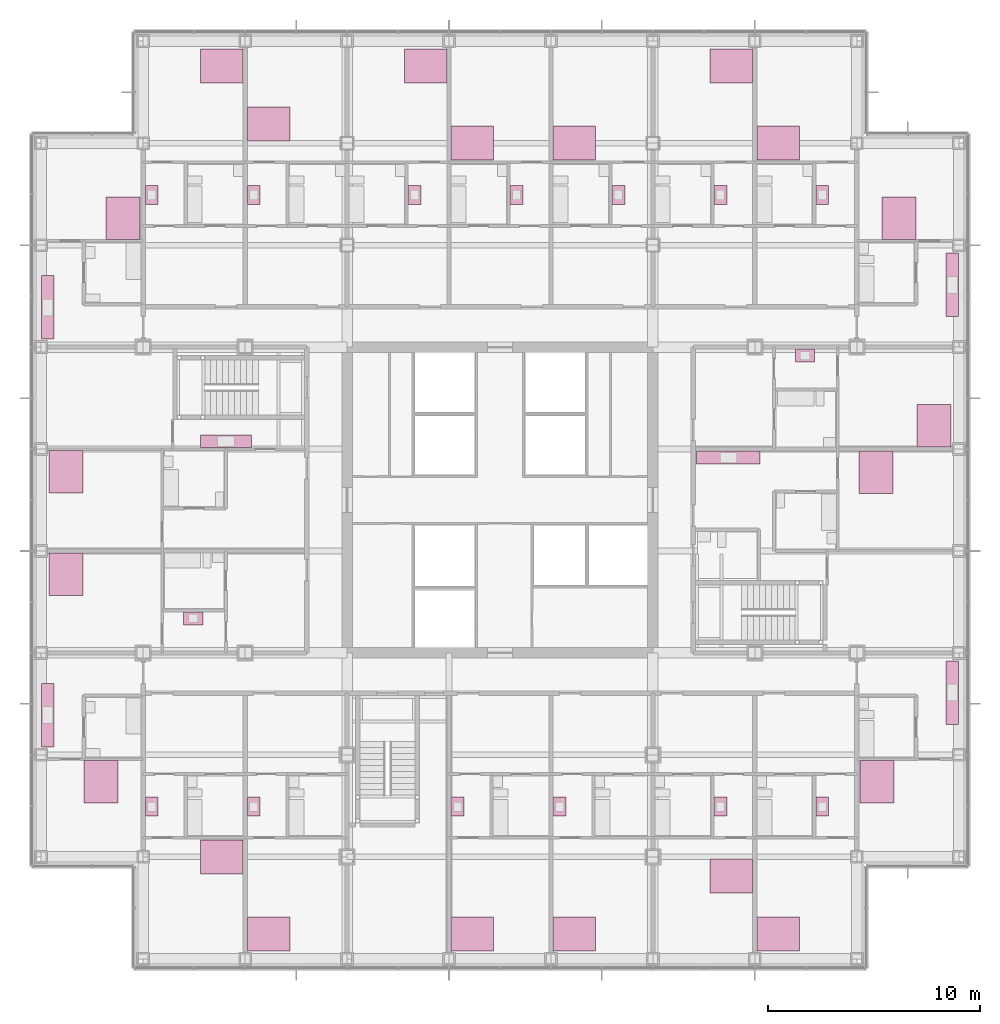
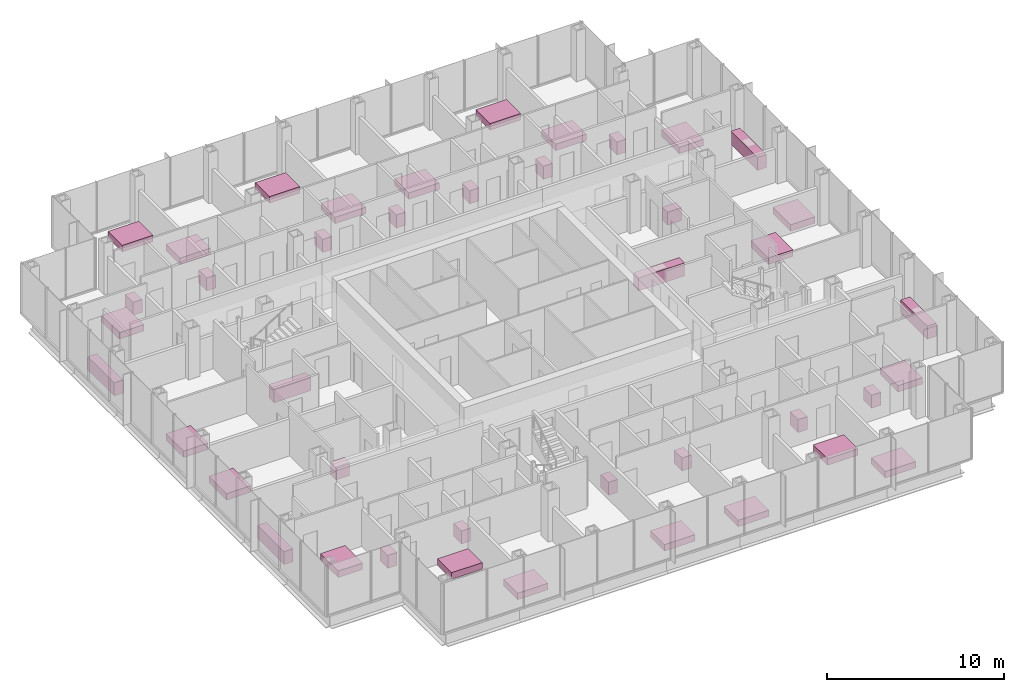
# One storey, part 22 of 22: 42 furniture elements.
"""IFC4 building model written with IfcOpenShell, lengths in metres."""

from ifc_helpers import new_model, si_unit, direction, frame, origin, origin_2d, place, context, subcontext, project, spatial, rectangle, extrude, material, type_object, element, save


model = new_model("IFC4")

# Units and contexts
model_context = context("Model", 3, precision=1e-05, world=origin(), true_north=direction((0.0, 1.0)))
body_context = subcontext(model_context, "Body", "Model", "MODEL_VIEW")
ifc_project = project(units=[si_unit("LENGTHUNIT", "METRE"), si_unit("AREAUNIT", "SQUARE_METRE"), si_unit("VOLUMEUNIT", "CUBIC_METRE"), si_unit("PLANEANGLEUNIT", "RADIAN"), si_unit("MASSUNIT", "GRAM", prefix="KILO")], contexts=[model_context])

# Site, building, storey
site_placement = place(None, origin())
site = spatial("IfcSite", under=ifc_project, at=site_placement, CompositionType="ELEMENT")
building_placement = place(site_placement, origin())
building = spatial("IfcBuilding", under=site, at=building_placement, Name="Kvirike Care Tower", CompositionType="ELEMENT")
storey_placement = place(building_placement, frame((0.0, 0.0, 72.5)))
storey = spatial("IfcBuildingStorey", under=building, at=storey_placement, Name="L19", CompositionType="ELEMENT", Elevation=72.5)

# Furniture
ifc_material_1 = material(Name="Timber", Category="wood")
furniture_type_1 = type_object("IfcFurnitureType", Name="DOUBLE BED 1600 x 2000", AssemblyPlace="FACTORY", PredefinedType="BED", material=ifc_material_1)
for number, where, z_axis, x_axis, name in (
    (1, (2.820068359375, 22.738037109375, 0.0), (0.0, 0.0, 1.0), (1.0, 0.0, 0.0), "Double bed L19-002"),
    (2, (8.498046875, 19.18994140625, 0.0), (0.0, 0.0, 1.0), (0.0, -1.0, 0.0), "Double bed L19-005"),
    (3, (10.701904296875, 15.570068359375, 0.0), (0.0, 0.0, 1.0), (0.0, 1.0, 0.0), "Double bed L19-009"),
    (4, (1.169921875, 37.337890625, 0.0), (0.0, 0.0, 1.0), (1.0, 0.0, 0.0), "Double bed L19-016"),
    (5, (1.169921875, 32.498046875, 0.0), (0.0, 0.0, 1.0), (1.0, 0.0, 0.0), "Double bed L19-020"),
    (6, (10.701904296875, 53.7099609375, 0.0), (0.0, 0.0, 1.0), (0.0, 1.0, 0.0), "Double bed L19-025"),
    (7, (8.498046875, 56.429931640625, 0.0), (0.0, 0.0, 1.0), (0.0, -1.0, 0.0), "Double bed L19-029"),
    (8, (3.85009765625, 49.261962890625, 0.0), (0.0, 0.0, 1.0), (-1.0, 0.0, 0.0), "Double bed L19-033"),
    (9, (20.302001953125, 15.570068359375, 0.0), (0.0, 0.0, 1.0), (0.0, 1.0, 0.0), "Double bed L19-039"),
    (10, (25.10205078125, 15.570068359375, 0.0), (0.0, 0.0, 1.0), (0.0, 1.0, 0.0), "Double bed L19-043"),
    (11, (25.10205078125, 52.81005859375, 0.0), (0.0, 0.0, 1.0), (0.0, 1.0, 0.0), "Double bed L19-048"),
    (12, (20.302001953125, 52.81005859375, 0.0), (0.0, 0.0, 1.0), (0.0, 1.0, 0.0), "Double bed L19-052"),
    (13, (18.097900390625, 56.429931640625, 0.0), (0.0, 0.0, 1.0), (0.0, -1.0, 0.0), "Double bed L19-056"),
    (14, (32.498046875, 18.2900390625, 0.0), (0.0, 0.0, 1.0), (0.0, -1.0, 0.0), "Double bed L19-061"),
    (15, (34.701904296875, 15.570068359375, 0.0), (0.0, 0.0, 1.0), (0.0, 1.0, 0.0), "Double bed L19-065"),
    (16, (39.35009765625, 22.738037109375, 0.0), (0.0, 0.0, 1.0), (1.0, 0.0, 0.0), "Double bed L19-069"),
    (17, (39.31005859375, 37.298095703125, 0.0), (0.0, 0.0, 1.0), (1.0, 0.0, 0.0), "Double bed L19-075"),
    (18, (42.030029296875, 39.501953125, 0.0), (0.0, 0.0, 1.0), (-1.0, 0.0, 0.0), "Double bed L19-079"),
    (19, (40.3798828125, 49.261962890625, 0.0), (0.0, 0.0, 1.0), (-1.0, 0.0, 0.0), "Double bed L19-084"),
    (20, (34.701904296875, 52.81005859375, 0.0), (0.0, 0.0, 1.0), (0.0, 1.0, 0.0), "Double bed L19-087"),
    (21, (32.498046875, 56.429931640625, 0.0), (0.0, 0.0, 1.0), (0.0, -1.0, 0.0), "Double bed L19-091"),
):
    element("IfcFurniture", number, at=place(storey_placement, frame(where, z_axis=z_axis, x_axis=x_axis)), inside=storey, type_object=furniture_type_1, Name=name, PredefinedType="BED", context=body_context, shape_type="SweptSolid", body=[
        extrude(rectangle(XDim=1.60009765625, YDim=2.0, at=origin_2d()), origin(), (0.0, 0.0, 1.0), 0.449951171875),
    ])
ifc_material_2 = material(Name="Laminated board", Category="wood")
furniture_type_2 = type_object("IfcFurnitureType", Name="KITCHEN UNIT RUN 600", AssemblyPlace="FACTORY", PredefinedType="USERDEFINED", material=ifc_material_2)
furniture_1_placement = place(storey_placement, frame((0.302001953125, 25.8701171875, 0.0), z_axis=(0.0, 0.0, 1.0), x_axis=(0.0, 1.0, 0.0)))
element("IfcFurniture", 22, at=furniture_1_placement, inside=storey, type_object=furniture_type_2, Name="Kitchen unit run L19-004", ObjectType="KITCHEN UNIT", PredefinedType="USERDEFINED", context=body_context, shape_type="SweptSolid", body=[
    extrude(rectangle(XDim=3.0, YDim=0.60009765625, at=origin_2d()), origin(), (0.0, 0.0, 1.0), 0.89990234375),
])
for number, where, z_axis, x_axis, name in (
    (23, (5.201904296875, 21.56005859375, 0.0), (0.0, 0.0, 1.0), (0.0, 1.0, 0.0), "Kitchen unit run L19-007"),
    (24, (10.001953125, 21.56005859375, 0.0), (0.0, 0.0, 1.0), (0.0, 1.0, 0.0), "Kitchen unit run L19-011"),
):
    element("IfcFurniture", number, at=place(storey_placement, frame(where, z_axis=z_axis, x_axis=x_axis)), inside=storey, type_object=furniture_type_2, Name=name, ObjectType="KITCHEN UNIT", PredefinedType="USERDEFINED", context=body_context, shape_type="SweptSolid", body=[
        extrude(rectangle(XDim=0.89990234375, YDim=0.60009765625, at=origin_2d()), origin(), (0.0, 0.0, 1.0), 0.89990234375),
    ])
furniture_2_placement = place(storey_placement, frame((8.699951171875, 38.761962890625, 0.0), z_axis=(0.0, 0.0, 1.0), x_axis=(-1.0, 0.0, 0.0)))
element("IfcFurniture", 25, at=furniture_2_placement, inside=storey, type_object=furniture_type_2, Name="Kitchen unit run L19-018", ObjectType="KITCHEN UNIT", PredefinedType="USERDEFINED", context=body_context, shape_type="SweptSolid", body=[
    extrude(rectangle(XDim=2.39990234375, YDim=0.60009765625, at=origin_2d()), origin(), (0.0, 0.0, 1.0), 0.89990234375),
])
for number, where, z_axis, x_axis, name in (
    (26, (7.159912109375, 30.423095703125, 0.0), (0.0, 0.0, 1.0), (1.0, 0.0, 0.0), "Kitchen unit run L19-022"),
    (27, (10.001953125, 50.360107421875, 0.0), (0.0, 0.0, 1.0), (0.0, 1.0, 0.0), "Kitchen unit run L19-027"),
    (28, (5.201904296875, 50.360107421875, 0.0), (0.0, 0.0, 1.0), (0.0, 1.0, 0.0), "Kitchen unit run L19-031"),
):
    element("IfcFurniture", number, at=place(storey_placement, frame(where, z_axis=z_axis, x_axis=x_axis)), inside=storey, type_object=furniture_type_2, Name=name, ObjectType="KITCHEN UNIT", PredefinedType="USERDEFINED", context=body_context, shape_type="SweptSolid", body=[
        extrude(rectangle(XDim=0.89990234375, YDim=0.60009765625, at=origin_2d()), origin(), (0.0, 0.0, 1.0), 0.89990234375),
    ])
furniture_3_placement = place(storey_placement, frame((0.302001953125, 45.070068359375, 0.0), z_axis=(0.0, 0.0, 1.0), x_axis=(0.0, 1.0, 0.0)))
element("IfcFurniture", 29, at=furniture_3_placement, inside=storey, type_object=furniture_type_2, Name="Kitchen unit run L19-035", ObjectType="KITCHEN UNIT", PredefinedType="USERDEFINED", context=body_context, shape_type="SweptSolid", body=[
    extrude(rectangle(XDim=3.0, YDim=0.60009765625, at=origin_2d()), origin(), (0.0, 0.0, 1.0), 0.89990234375),
])
for number, where, z_axis, x_axis, name in (
    (30, (19.60205078125, 21.56005859375, 0.0), (0.0, 0.0, 1.0), (0.0, 1.0, 0.0), "Kitchen unit run L19-041"),
    (31, (24.402099609375, 21.56005859375, 0.0), (0.0, 0.0, 1.0), (0.0, 1.0, 0.0), "Kitchen unit run L19-045"),
    (32, (27.177001953125, 50.360107421875, 0.0), (0.0, 0.0, 1.0), (0.0, 1.0, 0.0), "Kitchen unit run L19-050"),
    (33, (22.376953125, 50.360107421875, 0.0), (0.0, 0.0, 1.0), (0.0, 1.0, 0.0), "Kitchen unit run L19-054"),
    (34, (17.576904296875, 50.360107421875, 0.0), (0.0, 0.0, 1.0), (0.0, 1.0, 0.0), "Kitchen unit run L19-058"),
    (35, (31.97705078125, 21.56005859375, 0.0), (0.0, 0.0, 1.0), (0.0, 1.0, 0.0), "Kitchen unit run L19-063"),
    (36, (36.777099609375, 21.56005859375, 0.0), (0.0, 0.0, 1.0), (0.0, 1.0, 0.0), "Kitchen unit run L19-067"),
):
    element("IfcFurniture", number, at=place(storey_placement, frame(where, z_axis=z_axis, x_axis=x_axis)), inside=storey, type_object=furniture_type_2, Name=name, ObjectType="KITCHEN UNIT", PredefinedType="USERDEFINED", context=body_context, shape_type="SweptSolid", body=[
        extrude(rectangle(XDim=0.89990234375, YDim=0.60009765625, at=origin_2d()), origin(), (0.0, 0.0, 1.0), 0.89990234375),
    ])
for number, where, z_axis, x_axis, name in (
    (37, (42.89794921875, 26.929931640625, 0.0), (0.0, 0.0, 1.0), (0.0, -1.0, 0.0), "Kitchen unit run L19-071"),
    (38, (32.35009765625, 37.998046875, 0.0), (0.0, 0.0, 1.0), (1.0, 0.0, 0.0), "Kitchen unit run L19-078"),
):
    element("IfcFurniture", number, at=place(storey_placement, frame(where, z_axis=z_axis, x_axis=x_axis)), inside=storey, type_object=furniture_type_2, Name=name, ObjectType="KITCHEN UNIT", PredefinedType="USERDEFINED", context=body_context, shape_type="SweptSolid", body=[
        extrude(rectangle(XDim=3.0, YDim=0.60009765625, at=origin_2d()), origin(), (0.0, 0.0, 1.0), 0.89990234375),
    ])
furniture_4_placement = place(storey_placement, frame((35.9599609375, 42.798095703125, 0.0), z_axis=(0.0, 0.0, 1.0), x_axis=(1.0, 0.0, 0.0)))
element("IfcFurniture", 39, at=furniture_4_placement, inside=storey, type_object=furniture_type_2, Name="Kitchen unit run L19-081", ObjectType="KITCHEN UNIT", PredefinedType="USERDEFINED", context=body_context, shape_type="SweptSolid", body=[
    extrude(rectangle(XDim=0.89990234375, YDim=0.60009765625, at=origin_2d()), origin(), (0.0, 0.0, 1.0), 0.89990234375),
])
furniture_5_placement = place(storey_placement, frame((42.89794921875, 46.1298828125, 0.0), z_axis=(0.0, 0.0, 1.0), x_axis=(0.0, -1.0, 0.0)))
element("IfcFurniture", 40, at=furniture_5_placement, inside=storey, type_object=furniture_type_2, Name="Kitchen unit run L19-086", ObjectType="KITCHEN UNIT", PredefinedType="USERDEFINED", context=body_context, shape_type="SweptSolid", body=[
    extrude(rectangle(XDim=3.0, YDim=0.60009765625, at=origin_2d()), origin(), (0.0, 0.0, 1.0), 0.89990234375),
])
for number, where, z_axis, x_axis, name in (
    (41, (36.777099609375, 50.360107421875, 0.0), (0.0, 0.0, 1.0), (0.0, 1.0, 0.0), "Kitchen unit run L19-089"),
    (42, (31.97705078125, 50.360107421875, 0.0), (0.0, 0.0, 1.0), (0.0, 1.0, 0.0), "Kitchen unit run L19-093"),
):
    element("IfcFurniture", number, at=place(storey_placement, frame(where, z_axis=z_axis, x_axis=x_axis)), inside=storey, type_object=furniture_type_2, Name=name, ObjectType="KITCHEN UNIT", PredefinedType="USERDEFINED", context=body_context, shape_type="SweptSolid", body=[
        extrude(rectangle(XDim=0.89990234375, YDim=0.60009765625, at=origin_2d()), origin(), (0.0, 0.0, 1.0), 0.89990234375),
    ])

save(model, "model.ifc")
